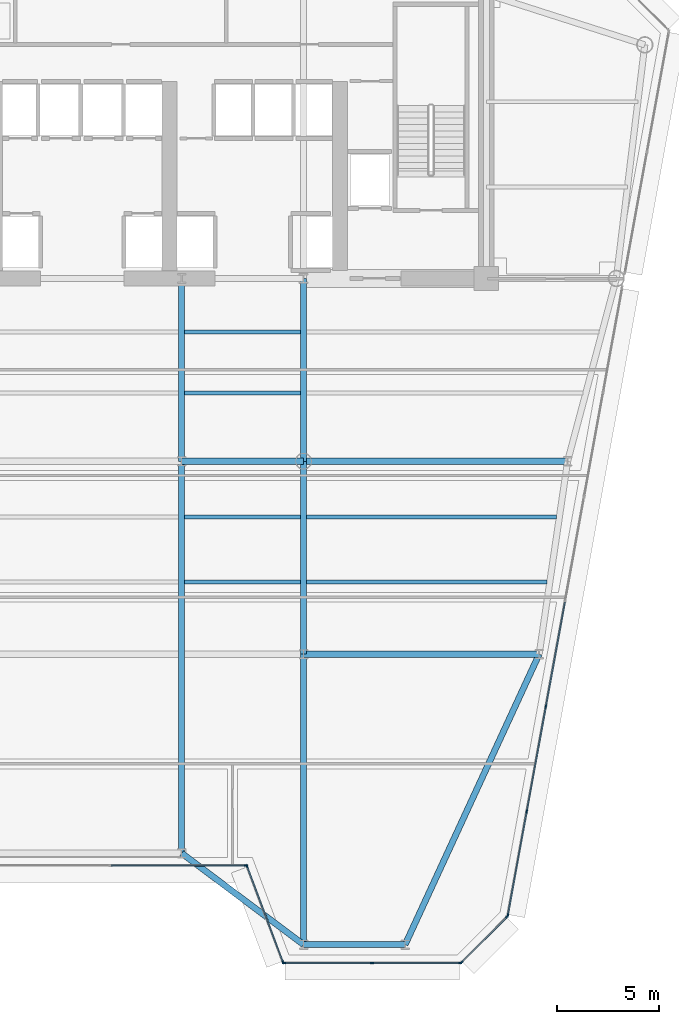
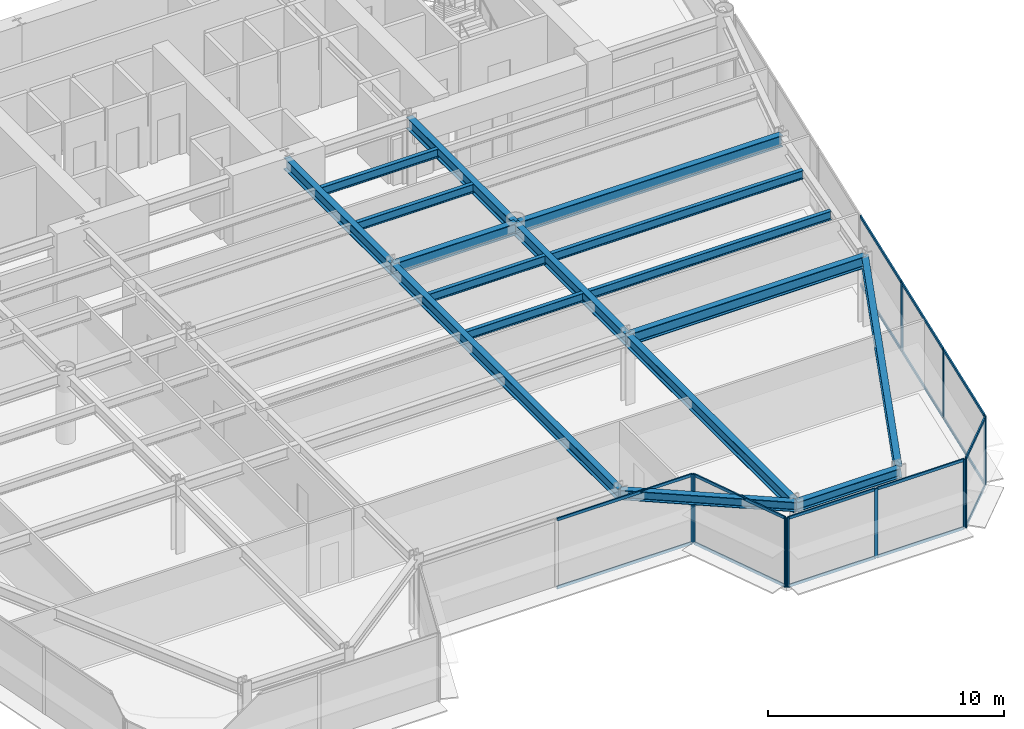
# One storey, part 5 of 17: 27 members, 17 beams, 5 elements without a shape of their own.
"""IFC4 building model written with IfcOpenShell, lengths in metres."""

import ifcopenshell
import ifcopenshell.guid

model = None  # the IFC model being written
_history = None  # IfcOwnerHistory: only IFC2X3 demands one
_inside = {}  # id of a spatial element -> (the spatial element, [elements in it])
_under = {}  # id of a project, library or spatial element -> (it, [spatial elements below it])
_declared = {}  # id of a project -> (the project, [libraries it declares])
_typed = {}  # id of a type object -> (the type object, [elements of that type])
_made_of = {}  # id of a material, layer set ... -> (it, [elements and type objects made of it])


def new_model(schema):
    """Start an empty IFC model of exactly this schema.

    Asked for "IFC4X3", IfcOpenShell would pick the latest addendum, in which some entities
    have other attributes; the version numbers below select the first issue.
    IFC2X3 requires an IfcOwnerHistory on every rooted entity: one is made here for all.
    """
    global model, _history
    if schema == "IFC4X3":
        model = ifcopenshell.file(schema_version=(4, 3, 0, 0))
    else:
        model = ifcopenshell.file(schema=schema)
    _inside.clear()
    _under.clear()
    _declared.clear()
    _typed.clear()
    _made_of.clear()
    _history = None
    if model.schema == "IFC2X3":
        org = make("IfcOrganization", Name="unknown")
        user = make(
            "IfcPersonAndOrganization",
            ThePerson=make("IfcPerson", FamilyName="unknown"),
            TheOrganization=org,
        )
        app = make(
            "IfcApplication",
            ApplicationDeveloper=org,
            Version="unknown",
            ApplicationFullName="unknown",
            ApplicationIdentifier="unknown",
        )
        _history = make(
            "IfcOwnerHistory",
            OwningUser=user,
            OwningApplication=app,
            ChangeAction="ADDED",
            CreationDate=0,
        )
    return model


def make(cls, **values):
    """One entity of the class cls with the attributes given. An attribute that is None is left unset."""
    return model.create_entity(
        cls, **{name: value for name, value in values.items() if value is not None}
    )


def rooted(cls, **values):
    """An entity with a GlobalId (a new one), such as an element, a storey or a relation."""
    return make(cls, GlobalId=ifcopenshell.guid.new(), OwnerHistory=_history, **values)


def si_unit(unit_type, name, prefix=None):
    """IfcSIUnit, for example si_unit("LENGTHUNIT", "METRE", prefix="MILLI")."""
    return make("IfcSIUnit", UnitType=unit_type, Prefix=prefix, Name=name)


def assignment(units):
    """IfcUnitAssignment: the units of a project."""
    return None if units is None else make("IfcUnitAssignment", Units=units)


def point(xyz):
    """IfcCartesianPoint."""
    return None if xyz is None else make("IfcCartesianPoint", Coordinates=xyz)


def direction(xyz):
    """IfcDirection."""
    return None if xyz is None else make("IfcDirection", DirectionRatios=xyz)


def frame(location, z_axis=None, x_axis=None):
    """IfcAxis2Placement3D, a coordinate frame: its origin and axes. An axis left out is left unset."""
    return make(
        "IfcAxis2Placement3D",
        Location=point(location),
        Axis=direction(z_axis),
        RefDirection=direction(x_axis),
    )


def frame_2d(location, x_axis=None):
    """IfcAxis2Placement2D, a coordinate frame in the plane: its origin and x axis."""
    return make(
        "IfcAxis2Placement2D", Location=point(location), RefDirection=direction(x_axis)
    )


def origin():
    """The frame at (0, 0, 0) with its axes left unset."""
    return frame((0.0, 0.0, 0.0))


def origin_2d():
    """The frame at (0, 0) in the plane with its x axis left unset."""
    return frame_2d((0.0, 0.0))


def place(relative_to, where):
    """IfcLocalPlacement: puts the frame where relative to a parent placement (None: the world)."""
    return make(
        "IfcLocalPlacement", PlacementRelTo=relative_to, RelativePlacement=where
    )


def context(
    kind, dimensions, precision=None, world=None, true_north=None, identifier=None
):
    """IfcGeometricRepresentationContext, for example the 3D "Model" context."""
    return make(
        "IfcGeometricRepresentationContext",
        ContextIdentifier=identifier,
        ContextType=kind,
        CoordinateSpaceDimension=dimensions,
        Precision=precision,
        WorldCoordinateSystem=world,
        TrueNorth=true_north,
    )


def subcontext(parent, identifier, kind, view, scale=None):
    """IfcGeometricRepresentationSubContext, for example "Body" below "Model"."""
    return make(
        "IfcGeometricRepresentationSubContext",
        ContextIdentifier=identifier,
        ContextType=kind,
        ParentContext=parent,
        TargetScale=scale,
        TargetView=view,
    )


def project(units=None, contexts=None):
    """IfcProject with its units and contexts."""
    return rooted(
        "IfcProject",
        Name="project",
        RepresentationContexts=contexts,
        UnitsInContext=assignment(units),
    )


def spatial(cls, under=None, at=None, **own):
    """A site, building, storey or space (cls), placed at a placement, below another one or the project."""
    s = rooted(cls, ObjectPlacement=at, **own)
    if under is not None:
        _under.setdefault(under.id(), (under, []))[1].append(s)
    return s


def profile(cls, at=None, kind="AREA", **sizes):
    """A parametric profile (cls). Its sizes go by their IFC names, for example OverallWidth=200.0."""
    return make(cls, ProfileType=kind, Position=at, **sizes)


def rectangle(**sizes):
    """IfcRectangleProfileDef."""
    return profile("IfcRectangleProfileDef", **sizes)


def i_section(**sizes):
    """IfcIShapeProfileDef."""
    return profile("IfcIShapeProfileDef", **sizes)


def extrude(swept, where, along, depth):
    """IfcExtrudedAreaSolid: the profile swept, set in the frame where, extruded along a direction by depth."""
    return make(
        "IfcExtrudedAreaSolid",
        SweptArea=swept,
        Position=where,
        ExtrudedDirection=direction(along),
        Depth=depth,
    )


def shape(context_of_items, identifier, shape_type, items):
    """IfcShapeRepresentation: the items that make up one representation, for example the "Body"."""
    return make(
        "IfcShapeRepresentation",
        ContextOfItems=context_of_items,
        RepresentationIdentifier=identifier,
        RepresentationType=shape_type,
        Items=items,
    )


def source(mapping_origin, context_of_items, identifier, shape_type, items):
    """IfcRepresentationMap: a shape defined once, which mapped items show again and again."""
    return make(
        "IfcRepresentationMap",
        MappingOrigin=mapping_origin,
        MappedRepresentation=shape(context_of_items, identifier, shape_type, items),
    )


def transform(
    local_origin,
    x_axis=None,
    y_axis=None,
    z_axis=None,
    scale=None,
    scale2=None,
    scale3=None,
    uniform=True,
):
    """IfcCartesianTransformationOperator3D, or its non-uniform kind. x_axis, y_axis, z_axis: its Axis1, 2, 3."""
    if uniform:
        return make(
            "IfcCartesianTransformationOperator3D",
            Axis1=direction(x_axis),
            Axis2=direction(y_axis),
            LocalOrigin=point(local_origin),
            Scale=scale,
            Axis3=direction(z_axis),
        )
    return make(
        "IfcCartesianTransformationOperator3DnonUniform",
        Axis1=direction(x_axis),
        Axis2=direction(y_axis),
        LocalOrigin=point(local_origin),
        Scale=scale,
        Axis3=direction(z_axis),
        Scale2=scale2,
        Scale3=scale3,
    )


def mapped(mapping_source, mapping_target):
    """IfcMappedItem: shows the shape of a source again, moved by a transform."""
    return make(
        "IfcMappedItem", MappingSource=mapping_source, MappingTarget=mapping_target
    )


def material(Name=None, Category=None):
    """IfcMaterial."""
    return make("IfcMaterial", Name=Name, Category=Category)


def layer(
    of_material, thickness, ventilated=None, Name=None, Category=None, Priority=None
):
    """IfcMaterialLayer: one layer of a wall or slab, of a material (None: an air gap)."""
    return make(
        "IfcMaterialLayer",
        Material=of_material,
        LayerThickness=thickness,
        IsVentilated=ventilated,
        Name=Name,
        Category=Category,
        Priority=Priority,
    )


def layer_set(layers, Name=None):
    """IfcMaterialLayerSet."""
    return make("IfcMaterialLayerSet", MaterialLayers=layers, LayerSetName=Name)


def material_profile(
    of_material, cross_section, Name=None, Category=None, Priority=None
):
    """IfcMaterialProfile: a cross section and its material."""
    return make(
        "IfcMaterialProfile",
        Name=Name,
        Material=of_material,
        Profile=cross_section,
        Priority=Priority,
        Category=Category,
    )


def profile_set(profiles, Name=None, composite=None):
    """IfcMaterialProfileSet."""
    return make(
        "IfcMaterialProfileSet",
        Name=Name,
        MaterialProfiles=profiles,
        CompositeProfile=composite,
    )


def made_of(thing, what):
    """Note that an element or type object is made of a material, layer set ...; save() writes the relation."""
    if what is not None:
        _made_of.setdefault(what.id(), (what, []))[1].append(thing)
    return thing


def type_object(cls, material=None, **own):
    """A type object (cls), such as IfcWallType, which elements share."""
    return made_of(rooted(cls, **own), material)


def element(
    cls,
    number,
    at=None,
    inside=None,
    cuts=None,
    type_object=None,
    material=None,
    context=None,
    identifier="Body",
    shape_type=None,
    held_by="IfcProductDefinitionShape",
    body=None,
    shapes=None,
    **own,
):
    """One element of the class cls, such as IfcWall. Its Tag is "e" and its number.

    at: its placement. inside: the storey or other place that contains it. cuts: it is an
    opening in that element (IfcRelVoidsElement). A single representation is given by context,
    identifier, shape_type and body (its items); several are given by shapes. held_by: the class
    of the entity that holds the representations. save() writes the other relations.
    """
    e = rooted(cls, Tag="e%d" % number, ObjectPlacement=at, **own)
    if body is not None:
        shapes = [shape(context, identifier, shape_type, body)]
    if shapes is not None:
        e.Representation = make(held_by, Representations=shapes)
    if inside is not None:
        _inside.setdefault(inside.id(), (inside, []))[1].append(e)
    if cuts is not None:
        rooted(
            "IfcRelVoidsElement", RelatingBuildingElement=cuts, RelatedOpeningElement=e
        )
    if type_object is not None:
        _typed.setdefault(type_object.id(), (type_object, []))[1].append(e)
    return made_of(e, material)


def aggregate(whole, parts):
    """IfcRelAggregates: a whole, such as a stair, and the parts it consists of."""
    return rooted("IfcRelAggregates", RelatingObject=whole, RelatedObjects=parts)


def save(model, path):
    """Write the relations noted so far, then the file.

    IfcRelAggregates (storeys below a building ...), IfcRelContainedInSpatialStructure (elements
    in a storey), IfcRelDefinesByType, IfcRelAssociatesMaterial and IfcRelDeclares: one each for
    every whole, place, type object, material and project.
    """
    for whole, parts in _under.values():
        aggregate(whole, parts)
    for where, things in _inside.values():
        rooted(
            "IfcRelContainedInSpatialStructure",
            RelatedElements=things,
            RelatingStructure=where,
        )
    for kind, things in _typed.values():
        rooted("IfcRelDefinesByType", RelatedObjects=things, RelatingType=kind)
    for what, things in _made_of.values():
        rooted("IfcRelAssociatesMaterial", RelatedObjects=things, RelatingMaterial=what)
    for by, libraries in _declared.values():
        rooted("IfcRelDeclares", RelatingContext=by, RelatedDefinitions=libraries)
    model.write(path)


model = new_model("IFC4")

# Units and contexts
model_context = context("Model", 3, precision=1e-05, world=origin(), true_north=direction((0.0, 1.0)))
body_context = subcontext(model_context, "Body", "Model", "MODEL_VIEW")
ifc_project = project(units=[si_unit("LENGTHUNIT", "METRE"), si_unit("AREAUNIT", "SQUARE_METRE"), si_unit("VOLUMEUNIT", "CUBIC_METRE"), si_unit("PLANEANGLEUNIT", "RADIAN"), si_unit("MASSUNIT", "GRAM", prefix="KILO")], contexts=[model_context])

# Site, building, storey
site_placement = place(None, origin())
site = spatial("IfcSite", under=ifc_project, at=site_placement, CompositionType="ELEMENT")
building_placement = place(site_placement, origin())
building = spatial("IfcBuilding", under=site, at=building_placement, Name="Vaeldorn Concourse Tower", CompositionType="ELEMENT")
storey_placement = place(building_placement, frame((0.0, 0.0, 161.39990234375)))
storey = spatial("IfcBuildingStorey", under=building, at=storey_placement, Name="L41", CompositionType="ELEMENT", Elevation=161.39990234375)

# Beams
ifc_material_1 = material(Name="Steel S355", Category="steel")
ifc_material_profile_1 = material_profile(ifc_material_1, i_section(OverallWidth=0.300048828125, OverallDepth=0.5, WebThickness=0.014404296875, FlangeThickness=0.028076171875, FilletRadius=0.027099609375, at=origin_2d()), Name="HEB 500")
ifc_profile_set_1 = profile_set([ifc_material_profile_1], Name="Steel S355")
beam_type_1 = type_object("IfcBeamType", Name="BM-SP-HEB500", PredefinedType="SPANDREL", material=ifc_profile_set_1)
shared_shape_1 = source(origin(), body_context, "Body", "SweptSolid", [
    extrude(i_section(OverallWidth=0.300048828125, OverallDepth=0.5, WebThickness=0.014404296875, FlangeThickness=0.028076171875, FilletRadius=0.027099609375, at=origin_2d()), origin(), (0.0, 0.0, 1.0), 5.0),
])
beam_1_placement = place(storey_placement, frame((45.0, 3.699951171875, 3.330078125), z_axis=(1.0, 0.0, 0.0), x_axis=(0.0, 1.0, 0.0)))
element("IfcBeam", 1, at=beam_1_placement, inside=storey, type_object=beam_type_1, Name="Beam BM-L41-C-SF5-C-SF6", PredefinedType="SPANDREL", context=body_context, shape_type="MappedRepresentation", body=[
    mapped(shared_shape_1, transform((0.0, 0.0, 0.0), scale=1.0)),
])
shared_shape_2 = source(origin(), body_context, "Body", "SweptSolid", [
    extrude(i_section(OverallWidth=0.300048828125, OverallDepth=0.5, WebThickness=0.014404296875, FlangeThickness=0.028076171875, FilletRadius=0.027099609375, at=origin_2d()), origin(), (0.0, 0.0, 1.0), 7.5),
])
beam_2_placement = place(storey_placement, frame((39.0, 8.199951171875, 3.330078125), z_axis=(0.8, -0.6, 0.0), x_axis=(0.6, 0.8, 0.0)))
element("IfcBeam", 2, at=beam_2_placement, inside=storey, type_object=beam_type_1, Name="Beam BM-L41-C-SF4-C-SF5", PredefinedType="SPANDREL", context=body_context, shape_type="MappedRepresentation", body=[
    mapped(shared_shape_2, transform((0.0, 0.0, 0.0), scale=1.0)),
])
ifc_material_profile_2 = material_profile(ifc_material_1, i_section(OverallWidth=0.18994140625, OverallDepth=0.449951171875, WebThickness=0.009521484375, FlangeThickness=0.0146484375, FilletRadius=0.02099609375, at=origin_2d()), Name="IPE 450")
ifc_profile_set_2 = profile_set([ifc_material_profile_2], Name="Steel S355")
beam_type_2 = type_object("IfcBeamType", Name="BM-JS-IPE450", PredefinedType="JOIST", material=ifc_profile_set_2)
shared_shape_3 = source(origin(), body_context, "Body", "SweptSolid", [
    extrude(i_section(OverallWidth=0.18994140625, OverallDepth=0.449951171875, WebThickness=0.009521484375, FlangeThickness=0.0146484375, FilletRadius=0.02099609375, at=origin_2d()), origin(), (0.0, 0.0, 1.0), 5.7001953125),
])
for number, where, z_axis, x_axis, name in (
    (3, (39.14990234375, 21.56005859375, 3.35498046875), (1.0, 0.0, 0.0), (0.0, 1.0, 0.0), "Beam JS-L41-E2-215"),
    (4, (39.14990234375, 24.760009765625, 3.35498046875), (1.0, 0.0, 0.0), (0.0, 1.0, 0.0), "Beam JS-L41-E2-247"),
    (5, (39.14990234375, 30.860107421875, 3.35498046875), (1.0, 0.0, 0.0), (0.0, 1.0, 0.0), "Beam JS-L41-E2-308"),
    (6, (39.14990234375, 33.860107421875, 3.35498046875), (1.0, 0.0, 0.0), (0.0, 1.0, 0.0), "Beam JS-L41-E2-338"),
):
    element("IfcBeam", number, at=place(storey_placement, frame(where, z_axis=z_axis, x_axis=x_axis)), inside=storey, type_object=beam_type_2, Name=name, PredefinedType="JOIST", context=body_context, shape_type="MappedRepresentation", body=[
        mapped(shared_shape_3, transform((0.0, 0.0, 0.0), scale=1.0)),
    ])
shared_shape_4 = source(origin(), body_context, "Body", "SweptSolid", [
    extrude(i_section(OverallWidth=0.18994140625, OverallDepth=0.449951171875, WebThickness=0.009521484375, FlangeThickness=0.0146484375, FilletRadius=0.02099609375, at=origin_2d()), origin(), (0.0, 0.0, 1.0), 11.82470703125),
])
beam_3_placement = place(storey_placement, frame((45.14990234375, 21.56005859375, 3.35498046875), z_axis=(1.0, 0.0, 0.0), x_axis=(0.0, 1.0, 0.0)))
element("IfcBeam", 7, at=beam_3_placement, inside=storey, type_object=beam_type_2, Name="Beam JS-L41-E1-215", PredefinedType="JOIST", context=body_context, shape_type="MappedRepresentation", body=[
    mapped(shared_shape_4, transform((0.0, 0.0, 0.0), scale=1.0)),
])
shared_shape_5 = source(origin(), body_context, "Body", "SweptSolid", [
    extrude(i_section(OverallWidth=0.18994140625, OverallDepth=0.449951171875, WebThickness=0.009521484375, FlangeThickness=0.0146484375, FilletRadius=0.02099609375, at=origin_2d()), origin(), (0.0, 0.0, 1.0), 12.29638671875),
])
beam_4_placement = place(storey_placement, frame((45.14990234375, 24.760009765625, 3.35498046875), z_axis=(1.0, 0.0, 0.0), x_axis=(0.0, 1.0, 0.0)))
element("IfcBeam", 8, at=beam_4_placement, inside=storey, type_object=beam_type_2, Name="Beam JS-L41-E1-247", PredefinedType="JOIST", context=body_context, shape_type="MappedRepresentation", body=[
    mapped(shared_shape_5, transform((0.0, 0.0, 0.0), scale=1.0)),
])
ifc_material_profile_3 = material_profile(ifc_material_1, i_section(OverallWidth=0.300048828125, OverallDepth=0.60009765625, WebThickness=0.015380859375, FlangeThickness=0.030029296875, FilletRadius=0.027099609375, at=origin_2d()), Name="HEB 600")
ifc_profile_set_3 = profile_set([ifc_material_profile_3], Name="Steel S355")
beam_type_3 = type_object("IfcBeamType", Name="BM-PG-HEB600", PredefinedType="BEAM", material=ifc_profile_set_3)
shared_shape_6 = source(origin(), body_context, "Body", "SweptSolid", [
    extrude(i_section(OverallWidth=0.300048828125, OverallDepth=0.60009765625, WebThickness=0.015380859375, FlangeThickness=0.030029296875, FilletRadius=0.027099609375, at=origin_2d()), origin(), (0.0, 0.0, 1.0), 6.0),
])
beam_5_placement = place(storey_placement, frame((39.0, 27.5, 3.280029296875), z_axis=(1.0, 0.0, 0.0), x_axis=(0.0, 1.0, 0.0)))
element("IfcBeam", 9, at=beam_5_placement, inside=storey, type_object=beam_type_3, Name="Beam BM-L41-C-TW3-C-TW4", PredefinedType="BEAM", context=body_context, shape_type="MappedRepresentation", body=[
    mapped(shared_shape_6, transform((0.0, 0.0, 0.0), scale=1.0)),
])
shared_shape_7 = source(origin(), body_context, "Body", "SweptSolid", [
    extrude(i_section(OverallWidth=0.300048828125, OverallDepth=0.60009765625, WebThickness=0.015380859375, FlangeThickness=0.030029296875, FilletRadius=0.027099609375, at=origin_2d()), origin(), (0.0, 0.0, 1.0), 9.0),
])
for number, where, z_axis, x_axis, name in (
    (10, (39.0, 27.5, 3.280029296875), (0.0, 1.0, 0.0), (-1.0, 0.0, 0.0), "Beam BM-L41-C-TW3-C-FC4"),
    (11, (45.0, 27.5, 3.280029296875), (0.0, 1.0, 0.0), (-1.0, 0.0, 0.0), "Beam BM-L41-C-TW4-C-FC5"),
):
    element("IfcBeam", number, at=place(storey_placement, frame(where, z_axis=z_axis, x_axis=x_axis)), inside=storey, type_object=beam_type_3, Name=name, PredefinedType="BEAM", context=body_context, shape_type="MappedRepresentation", body=[
        mapped(shared_shape_7, transform((0.0, 0.0, 0.0), scale=1.0)),
    ])
shared_shape_8 = source(origin(), body_context, "Body", "SweptSolid", [
    extrude(i_section(OverallWidth=0.300048828125, OverallDepth=0.60009765625, WebThickness=0.015380859375, FlangeThickness=0.030029296875, FilletRadius=0.027099609375, at=origin_2d()), origin(), (0.0, 0.0, 1.0), 13.0),
])
beam_6_placement = place(storey_placement, frame((45.0, 27.5, 3.280029296875), z_axis=(1.0, 0.0, 0.0), x_axis=(0.0, 1.0, 0.0)))
element("IfcBeam", 12, at=beam_6_placement, inside=storey, type_object=beam_type_3, Name="Beam BM-L41-C-TW4-C-FLE1", PredefinedType="BEAM", context=body_context, shape_type="MappedRepresentation", body=[
    mapped(shared_shape_8, transform((0.0, 0.0, 0.0), scale=1.0)),
])
shared_shape_9 = source(origin(), body_context, "Body", "SweptSolid", [
    extrude(i_section(OverallWidth=0.300048828125, OverallDepth=0.60009765625, WebThickness=0.015380859375, FlangeThickness=0.030029296875, FilletRadius=0.027099609375, at=origin_2d()), origin(), (0.0, 0.0, 1.0), 11.60009765625),
])
beam_7_placement = place(storey_placement, frame((45.0, 18.0, 3.280029296875), z_axis=(1.0, 0.0, 0.0), x_axis=(0.0, 1.0, 0.0)))
element("IfcBeam", 13, at=beam_7_placement, inside=storey, type_object=beam_type_3, Name="Beam BM-L41-C-TW6-C-FLE2", PredefinedType="BEAM", context=body_context, shape_type="MappedRepresentation", body=[
    mapped(shared_shape_9, transform((0.0, 0.0, 0.0), scale=1.0)),
])
shared_shape_10 = source(origin(), body_context, "Body", "SweptSolid", [
    extrude(i_section(OverallWidth=0.300048828125, OverallDepth=0.60009765625, WebThickness=0.015380859375, FlangeThickness=0.030029296875, FilletRadius=0.027099609375, at=origin_2d()), origin(), (0.0, 0.0, 1.0), 9.5),
])
beam_8_placement = place(storey_placement, frame((45.0, 18.0, 3.280029296875), z_axis=(0.0, 1.0, 0.0), x_axis=(-1.0, 0.0, 0.0)))
element("IfcBeam", 14, at=beam_8_placement, inside=storey, type_object=beam_type_3, Name="Beam BM-L41-C-TW6-C-TW4", PredefinedType="BEAM", context=body_context, shape_type="MappedRepresentation", body=[
    mapped(shared_shape_10, transform((0.0, 0.0, 0.0), scale=1.0)),
])
shared_shape_11 = source(origin(), body_context, "Body", "SweptSolid", [
    extrude(i_section(OverallWidth=0.300048828125, OverallDepth=0.60009765625, WebThickness=0.015380859375, FlangeThickness=0.030029296875, FilletRadius=0.027099609375, at=origin_2d()), origin(), (0.0, 0.0, 1.0), 15.749755859375),
])
beam_9_placement = place(storey_placement, frame((50.0, 3.699951171875, 3.280029296875), z_axis=(0.419062109495, 0.907957569706, 0.0), x_axis=(-0.907957569706, 0.419062109495, 0.0)))
element("IfcBeam", 15, at=beam_9_placement, inside=storey, type_object=beam_type_3, Name="Beam BM-L41-C-SF6-C-FLE2", PredefinedType="BEAM", context=body_context, shape_type="MappedRepresentation", body=[
    mapped(shared_shape_11, transform((0.0, 0.0, 0.0), scale=1.0)),
])
shared_shape_12 = source(origin(), body_context, "Body", "SweptSolid", [
    extrude(i_section(OverallWidth=0.300048828125, OverallDepth=0.60009765625, WebThickness=0.015380859375, FlangeThickness=0.030029296875, FilletRadius=0.027099609375, at=origin_2d()), origin(), (0.0, 0.0, 1.0), 14.300048828125),
])
beam_10_placement = place(storey_placement, frame((45.0, 3.699951171875, 3.280029296875), z_axis=(0.0, 1.0, 0.0), x_axis=(-1.0, 0.0, 0.0)))
element("IfcBeam", 16, at=beam_10_placement, inside=storey, type_object=beam_type_3, Name="Beam BM-L41-C-SF5-C-TW6", PredefinedType="BEAM", context=body_context, shape_type="MappedRepresentation", body=[
    mapped(shared_shape_12, transform((0.0, 0.0, 0.0), scale=1.0)),
])
shared_shape_13 = source(origin(), body_context, "Body", "SweptSolid", [
    extrude(i_section(OverallWidth=0.300048828125, OverallDepth=0.60009765625, WebThickness=0.015380859375, FlangeThickness=0.030029296875, FilletRadius=0.027099609375, at=origin_2d()), origin(), (0.0, 0.0, 1.0), 19.300048828125),
])
beam_11_placement = place(storey_placement, frame((39.0, 8.199951171875, 3.280029296875), z_axis=(0.0, 1.0, 0.0), x_axis=(-1.0, 0.0, 0.0)))
element("IfcBeam", 17, at=beam_11_placement, inside=storey, type_object=beam_type_3, Name="Beam BM-L41-C-SF4-C-TW3", PredefinedType="BEAM", context=body_context, shape_type="MappedRepresentation", body=[
    mapped(shared_shape_13, transform((0.0, 0.0, 0.0), scale=1.0)),
])

# Curtain wall, members
ifc_material_2 = material(Name="Anodised Bronze Aluminium", Category="aluminium")
ifc_layer = layer(ifc_material_2, 0.18994140625)
ifc_layer_set = layer_set([ifc_layer], Name="Anodised Bronze Aluminium")
curtain_wall_type = type_object("IfcCurtainWallType", Name="CW-SYS-03", PredefinedType="NOTDEFINED", material=ifc_layer_set)
curtain_wall_1_placement = place(storey_placement, origin())
curtain_wall_1 = element("IfcCurtainWall", 18, at=curtain_wall_1_placement, inside=storey, type_object=curtain_wall_type, Name="Unitised Curtain Wall CW-L41-E04-1", PredefinedType="NOTDEFINED")
ifc_material_profile_4 = material_profile(ifc_material_2, rectangle(XDim=0.06494140625, YDim=0.14990234375, at=origin_2d()), Name="CWT 65x150")
ifc_profile_set_4 = profile_set([ifc_material_profile_4], Name="Anodised Bronze Aluminium")
member_type_1 = type_object("IfcMemberType", Name="CWT-BRONZE-150", PredefinedType="USERDEFINED", material=ifc_profile_set_4)
shared_shape_14 = source(origin(), body_context, "Body", "SweptSolid", [
    extrude(rectangle(XDim=0.06494140625, YDim=0.14990234375, at=origin_2d()), origin(), (0.0, 0.0, 1.0), 4.996337890625),
])
member_1_placement = place(storey_placement, frame((42.222900390625, 7.5390625, 0.03271484375), z_axis=(0.351134151405, -0.936325161318, 0.0), x_axis=(0.936325161318, 0.351134151405, 0.0)))
member_1 = element("IfcMember", 19, at=member_1_placement, type_object=member_type_1, Name="CW-03 transom 1.1", ObjectType="TRANSOM", PredefinedType="USERDEFINED", context=body_context, shape_type="MappedRepresentation", body=[
    mapped(shared_shape_14, transform((0.0, 0.0, 0.0), scale=1.0)),
])
member_2_placement = place(storey_placement, frame((42.222900390625, 7.5390625, 3.547607421875), z_axis=(0.351134151405, -0.936325161318, 0.0), x_axis=(0.936325161318, 0.351134151405, 0.0)))
member_2 = element("IfcMember", 20, at=member_2_placement, type_object=member_type_1, Name="CW-03 transom 1.2", ObjectType="TRANSOM", PredefinedType="USERDEFINED", context=body_context, shape_type="MappedRepresentation", body=[
    mapped(shared_shape_14, transform((0.0, 0.0, 0.0), scale=1.0)),
])

curtain_wall_2_placement = place(storey_placement, origin())
curtain_wall_2 = element("IfcCurtainWall", 21, at=curtain_wall_2_placement, inside=storey, type_object=curtain_wall_type, Name="Unitised Curtain Wall CW-L41-E03-1", PredefinedType="NOTDEFINED")
shared_shape_15 = source(origin(), body_context, "Body", "SweptSolid", [
    extrude(rectangle(XDim=0.06494140625, YDim=0.14990234375, at=origin_2d()), origin(), (0.0, 0.0, 1.0), 6.6025390625),
])
member_3_placement = place(storey_placement, frame((35.532470703125, 7.60009765625, 0.03271484375), z_axis=(1.0, 0.0, 0.0), x_axis=(0.0, 1.0, 0.0)))
member_3 = element("IfcMember", 22, at=member_3_placement, type_object=member_type_1, Name="CW-03 transom 2.1", ObjectType="TRANSOM", PredefinedType="USERDEFINED", context=body_context, shape_type="MappedRepresentation", body=[
    mapped(shared_shape_15, transform((0.0, 0.0, 0.0), scale=1.0)),
])
member_4_placement = place(storey_placement, frame((35.532470703125, 7.60009765625, 3.547607421875), z_axis=(1.0, 0.0, 0.0), x_axis=(0.0, 1.0, 0.0)))
member_4 = element("IfcMember", 23, at=member_4_placement, type_object=member_type_1, Name="CW-03 transom 2.2", ObjectType="TRANSOM", PredefinedType="USERDEFINED", context=body_context, shape_type="MappedRepresentation", body=[
    mapped(shared_shape_15, transform((0.0, 0.0, 0.0), scale=1.0)),
])

curtain_wall_3_placement = place(storey_placement, origin())
curtain_wall_3 = element("IfcCurtainWall", 24, at=curtain_wall_3_placement, inside=storey, type_object=curtain_wall_type, Name="Unitised Curtain Wall CW-L41-E06-1", PredefinedType="NOTDEFINED")
shared_shape_16 = source(origin(), body_context, "Body", "SweptSolid", [
    extrude(rectangle(XDim=0.06494140625, YDim=0.14990234375, at=origin_2d()), origin(), (0.0, 0.0, 1.0), 3.12255859375),
])
member_5_placement = place(storey_placement, frame((52.79296875, 2.845947265625, 0.03271484375), z_axis=(0.707106781187, 0.707106781187, 0.0), x_axis=(-0.707106781187, 0.707106781187, 0.0)))
member_5 = element("IfcMember", 25, at=member_5_placement, type_object=member_type_1, Name="CW-03 transom 1.1", ObjectType="TRANSOM", PredefinedType="USERDEFINED", context=body_context, shape_type="MappedRepresentation", body=[
    mapped(shared_shape_16, transform((0.0, 0.0, 0.0), scale=1.0)),
])
member_6_placement = place(storey_placement, frame((52.79296875, 2.845947265625, 3.547607421875), z_axis=(0.707106781187, 0.707106781187, 0.0), x_axis=(-0.707106781187, 0.707106781187, 0.0)))
member_6 = element("IfcMember", 26, at=member_6_placement, type_object=member_type_1, Name="CW-03 transom 1.2", ObjectType="TRANSOM", PredefinedType="USERDEFINED", context=body_context, shape_type="MappedRepresentation", body=[
    mapped(shared_shape_16, transform((0.0, 0.0, 0.0), scale=1.0)),
])

curtain_wall_4_placement = place(storey_placement, origin())
curtain_wall_4 = element("IfcCurtainWall", 27, at=curtain_wall_4_placement, inside=storey, type_object=curtain_wall_type, Name="Unitised Curtain Wall CW-L41-E05-1", PredefinedType="NOTDEFINED")
shared_shape_17 = source(origin(), body_context, "Body", "SweptSolid", [
    extrude(rectangle(XDim=0.06494140625, YDim=0.14990234375, at=origin_2d()), origin(), (0.0, 0.0, 1.0), 4.276123046875),
])
member_7_placement = place(storey_placement, frame((44.06494140625, 2.800048828125, 0.03271484375), z_axis=(1.0, 0.0, 0.0), x_axis=(0.0, 1.0, 0.0)))
member_7 = element("IfcMember", 28, at=member_7_placement, type_object=member_type_1, Name="CW-03 transom 1.1", ObjectType="TRANSOM", PredefinedType="USERDEFINED", context=body_context, shape_type="MappedRepresentation", body=[
    mapped(shared_shape_17, transform((0.0, 0.0, 0.0), scale=1.0)),
])
member_8_placement = place(storey_placement, frame((44.06494140625, 2.800048828125, 3.547607421875), z_axis=(1.0, 0.0, 0.0), x_axis=(0.0, 1.0, 0.0)))
member_8 = element("IfcMember", 29, at=member_8_placement, type_object=member_type_1, Name="CW-03 transom 1.2", ObjectType="TRANSOM", PredefinedType="USERDEFINED", context=body_context, shape_type="MappedRepresentation", body=[
    mapped(shared_shape_17, transform((0.0, 0.0, 0.0), scale=1.0)),
])
shared_shape_18 = source(origin(), body_context, "Body", "SweptSolid", [
    extrude(rectangle(XDim=0.06494140625, YDim=0.14990234375, at=origin_2d()), origin(), (0.0, 0.0, 1.0), 4.27587890625),
])
member_9_placement = place(storey_placement, frame((48.406005859375, 2.800048828125, 0.03271484375), z_axis=(1.0, 0.0, 0.0), x_axis=(0.0, 1.0, 0.0)))
member_9 = element("IfcMember", 30, at=member_9_placement, type_object=member_type_1, Name="CW-03 transom 2.1", ObjectType="TRANSOM", PredefinedType="USERDEFINED", context=body_context, shape_type="MappedRepresentation", body=[
    mapped(shared_shape_18, transform((0.0, 0.0, 0.0), scale=1.0)),
])
member_10_placement = place(storey_placement, frame((48.406005859375, 2.800048828125, 3.547607421875), z_axis=(1.0, 0.0, 0.0), x_axis=(0.0, 1.0, 0.0)))
member_10 = element("IfcMember", 31, at=member_10_placement, type_object=member_type_1, Name="CW-03 transom 2.2", ObjectType="TRANSOM", PredefinedType="USERDEFINED", context=body_context, shape_type="MappedRepresentation", body=[
    mapped(shared_shape_18, transform((0.0, 0.0, 0.0), scale=1.0)),
])

curtain_wall_5_placement = place(storey_placement, origin())
curtain_wall_5 = element("IfcCurtainWall", 32, at=curtain_wall_5_placement, inside=storey, type_object=curtain_wall_type, Name="Unitised Curtain Wall CW-L41-E07-1", PredefinedType="NOTDEFINED")
shared_shape_19 = source(origin(), body_context, "Body", "SweptSolid", [
    extrude(rectangle(XDim=0.06494140625, YDim=0.14990234375, at=origin_2d()), origin(), (0.0, 0.0, 1.0), 5.151611328125),
])
member_11_placement = place(storey_placement, frame((55.05859375, 5.1640625, 0.03271484375), z_axis=(0.179473445995, 0.983762818053, 0.0), x_axis=(-0.983762818053, 0.179473445995, 0.0)))
member_11 = element("IfcMember", 33, at=member_11_placement, type_object=member_type_1, Name="CW-03 transom 1.1", ObjectType="TRANSOM", PredefinedType="USERDEFINED", context=body_context, shape_type="MappedRepresentation", body=[
    mapped(shared_shape_19, transform((0.0, 0.0, 0.0), scale=1.0)),
])
member_12_placement = place(storey_placement, frame((55.05859375, 5.1640625, 3.547607421875), z_axis=(0.179473445995, 0.983762818053, 0.0), x_axis=(-0.983762818053, 0.179473445995, 0.0)))
member_12 = element("IfcMember", 34, at=member_12_placement, type_object=member_type_1, Name="CW-03 transom 1.2", ObjectType="TRANSOM", PredefinedType="USERDEFINED", context=body_context, shape_type="MappedRepresentation", body=[
    mapped(shared_shape_19, transform((0.0, 0.0, 0.0), scale=1.0)),
])
shared_shape_20 = source(origin(), body_context, "Body", "SweptSolid", [
    extrude(rectangle(XDim=0.06494140625, YDim=0.14990234375, at=origin_2d()), origin(), (0.0, 0.0, 1.0), 5.18408203125),
])
member_13_placement = place(storey_placement, frame((55.994873046875, 10.2958984375, 0.03271484375), z_axis=(0.179432467646, 0.983770293084, 0.0), x_axis=(-0.983770293084, 0.179432467646, 0.0)))
member_13 = element("IfcMember", 35, at=member_13_placement, type_object=member_type_1, Name="CW-03 transom 2.1", ObjectType="TRANSOM", PredefinedType="USERDEFINED", context=body_context, shape_type="MappedRepresentation", body=[
    mapped(shared_shape_20, transform((0.0, 0.0, 0.0), scale=1.0)),
])
member_14_placement = place(storey_placement, frame((55.994873046875, 10.2958984375, 3.547607421875), z_axis=(0.179432467646, 0.983770293084, 0.0), x_axis=(-0.983770293084, 0.179432467646, 0.0)))
member_14 = element("IfcMember", 36, at=member_14_placement, type_object=member_type_1, Name="CW-03 transom 2.2", ObjectType="TRANSOM", PredefinedType="USERDEFINED", context=body_context, shape_type="MappedRepresentation", body=[
    mapped(shared_shape_20, transform((0.0, 0.0, 0.0), scale=1.0)),
])
shared_shape_21 = source(origin(), body_context, "Body", "SweptSolid", [
    extrude(rectangle(XDim=0.06494140625, YDim=0.14990234375, at=origin_2d()), origin(), (0.0, 0.0, 1.0), 5.184326171875),
])
member_15_placement = place(storey_placement, frame((56.936767578125, 15.459716796875, 0.03271484375), z_axis=(0.179424154775, 0.983771809254, 0.0), x_axis=(-0.983771809254, 0.179424154775, 0.0)))
member_15 = element("IfcMember", 37, at=member_15_placement, type_object=member_type_1, Name="CW-03 transom 3.1", ObjectType="TRANSOM", PredefinedType="USERDEFINED", context=body_context, shape_type="MappedRepresentation", body=[
    mapped(shared_shape_21, transform((0.0, 0.0, 0.0), scale=1.0)),
])
member_16_placement = place(storey_placement, frame((56.936767578125, 15.459716796875, 3.547607421875), z_axis=(0.179424154775, 0.983771809254, 0.0), x_axis=(-0.983771809254, 0.179424154775, 0.0)))
member_16 = element("IfcMember", 38, at=member_16_placement, type_object=member_type_1, Name="CW-03 transom 3.2", ObjectType="TRANSOM", PredefinedType="USERDEFINED", context=body_context, shape_type="MappedRepresentation", body=[
    mapped(shared_shape_21, transform((0.0, 0.0, 0.0), scale=1.0)),
])

# Member
ifc_material_profile_5 = material_profile(ifc_material_2, rectangle(XDim=0.06494140625, YDim=0.169921875, at=origin_2d()), Name="CWM 65x170")
ifc_profile_set_5 = profile_set([ifc_material_profile_5], Name="Anodised Bronze Aluminium")
member_type_2 = type_object("IfcMemberType", Name="CWM-BRONZE-170", PredefinedType="MULLION", material=ifc_profile_set_5)
shared_shape_22 = source(origin(), body_context, "Body", "SweptSolid", [
    extrude(rectangle(XDim=0.06494140625, YDim=0.169921875, at=origin_2d()), origin(), (0.0, 0.0, 1.0), 3.580078125),
])
member_17_placement = place(storey_placement, frame((42.16748046875, 7.60009765625, 0.0), z_axis=(0.0, 0.0, 1.0), x_axis=(0.0, 1.0, 0.0)))
member_17 = element("IfcMember", 39, at=member_17_placement, type_object=member_type_2, Name="CW-03 mullion 3", PredefinedType="MULLION", context=body_context, shape_type="MappedRepresentation", body=[
    mapped(shared_shape_22, transform((0.0, 0.0, 0.0), scale=1.0)),
])

aggregate(curtain_wall_2, [member_17, member_3, member_4])

member_18_placement = place(storey_placement, frame((42.21142578125, 7.569580078125, 0.0), z_axis=(0.0, 0.0, 1.0), x_axis=(0.936329177566, 0.351123441595, 0.0)))
member_18 = element("IfcMember", 40, at=member_18_placement, type_object=member_type_2, Name="CW-03 mullion 1", PredefinedType="MULLION", context=body_context, shape_type="MappedRepresentation", body=[
    mapped(shared_shape_22, transform((0.0, 0.0, 0.0), scale=1.0)),
])

member_19_placement = place(storey_placement, frame((43.988525390625, 2.830322265625, 0.0), z_axis=(0.0, 0.0, 1.0), x_axis=(0.936329177566, 0.351123441595, 0.0)))
member_19 = element("IfcMember", 41, at=member_19_placement, type_object=member_type_2, Name="CW-03 mullion 2", PredefinedType="MULLION", context=body_context, shape_type="MappedRepresentation", body=[
    mapped(shared_shape_22, transform((0.0, 0.0, 0.0), scale=1.0)),
])

aggregate(curtain_wall_1, [member_18, member_19, member_1, member_2])

member_20_placement = place(storey_placement, frame((44.032470703125, 2.800048828125, 0.0), z_axis=(0.0, 0.0, 1.0), x_axis=(0.0, 1.0, 0.0)))
member_20 = element("IfcMember", 42, at=member_20_placement, type_object=member_type_2, Name="CW-03 mullion 1", PredefinedType="MULLION", context=body_context, shape_type="MappedRepresentation", body=[
    mapped(shared_shape_22, transform((0.0, 0.0, 0.0), scale=1.0)),
])

member_21_placement = place(storey_placement, frame((48.37353515625, 2.800048828125, 0.0), z_axis=(0.0, 0.0, 1.0), x_axis=(0.0, 1.0, 0.0)))
member_21 = element("IfcMember", 43, at=member_21_placement, type_object=member_type_2, Name="CW-03 mullion 2", PredefinedType="MULLION", context=body_context, shape_type="MappedRepresentation", body=[
    mapped(shared_shape_22, transform((0.0, 0.0, 0.0), scale=1.0)),
])

member_22_placement = place(storey_placement, frame((52.714599609375, 2.800048828125, 0.0), z_axis=(0.0, 0.0, 1.0), x_axis=(0.0, 1.0, 0.0)))
member_22 = element("IfcMember", 44, at=member_22_placement, type_object=member_type_2, Name="CW-03 mullion 3", PredefinedType="MULLION", context=body_context, shape_type="MappedRepresentation", body=[
    mapped(shared_shape_22, transform((0.0, 0.0, 0.0), scale=1.0)),
])

aggregate(curtain_wall_4, [member_20, member_21, member_22, member_7, member_8, member_9, member_10])

member_23_placement = place(storey_placement, frame((52.77001953125, 2.822998046875, 0.0), z_axis=(0.0, 0.0, 1.0), x_axis=(-0.707106781187, 0.707106781187, 0.0)))
member_23 = element("IfcMember", 45, at=member_23_placement, type_object=member_type_2, Name="CW-03 mullion 1", PredefinedType="MULLION", context=body_context, shape_type="MappedRepresentation", body=[
    mapped(shared_shape_22, transform((0.0, 0.0, 0.0), scale=1.0)),
])

member_24_placement = place(storey_placement, frame((55.02392578125, 5.076904296875, 0.0), z_axis=(0.0, 0.0, 1.0), x_axis=(-0.707106781187, 0.707106781187, 0.0)))
member_24 = element("IfcMember", 46, at=member_24_placement, type_object=member_type_2, Name="CW-03 mullion 2", PredefinedType="MULLION", context=body_context, shape_type="MappedRepresentation", body=[
    mapped(shared_shape_22, transform((0.0, 0.0, 0.0), scale=1.0)),
])

aggregate(curtain_wall_3, [member_23, member_24, member_5, member_6])

member_25_placement = place(storey_placement, frame((55.052734375, 5.132080078125, 0.0), z_axis=(0.0, 0.0, 1.0), x_axis=(-0.983767841325, 0.179445909331, 0.0)))
member_25 = element("IfcMember", 47, at=member_25_placement, type_object=member_type_2, Name="CW-03 mullion 1", PredefinedType="MULLION", context=body_context, shape_type="MappedRepresentation", body=[
    mapped(shared_shape_22, transform((0.0, 0.0, 0.0), scale=1.0)),
])

member_26_placement = place(storey_placement, frame((55.989013671875, 10.263916015625, 0.0), z_axis=(0.0, 0.0, 1.0), x_axis=(-0.983767841325, 0.179445909331, 0.0)))
member_26 = element("IfcMember", 48, at=member_26_placement, type_object=member_type_2, Name="CW-03 mullion 2", PredefinedType="MULLION", context=body_context, shape_type="MappedRepresentation", body=[
    mapped(shared_shape_22, transform((0.0, 0.0, 0.0), scale=1.0)),
])

member_27_placement = place(storey_placement, frame((56.930908203125, 15.427734375, 0.0), z_axis=(0.0, 0.0, 1.0), x_axis=(-0.983767841325, 0.179445909331, 0.0)))
member_27 = element("IfcMember", 49, at=member_27_placement, type_object=member_type_2, Name="CW-03 mullion 3", PredefinedType="MULLION", context=body_context, shape_type="MappedRepresentation", body=[
    mapped(shared_shape_22, transform((0.0, 0.0, 0.0), scale=1.0)),
])

aggregate(curtain_wall_5, [member_25, member_26, member_27, member_11, member_12, member_13, member_14, member_15, member_16])

save(model, "model.ifc")
